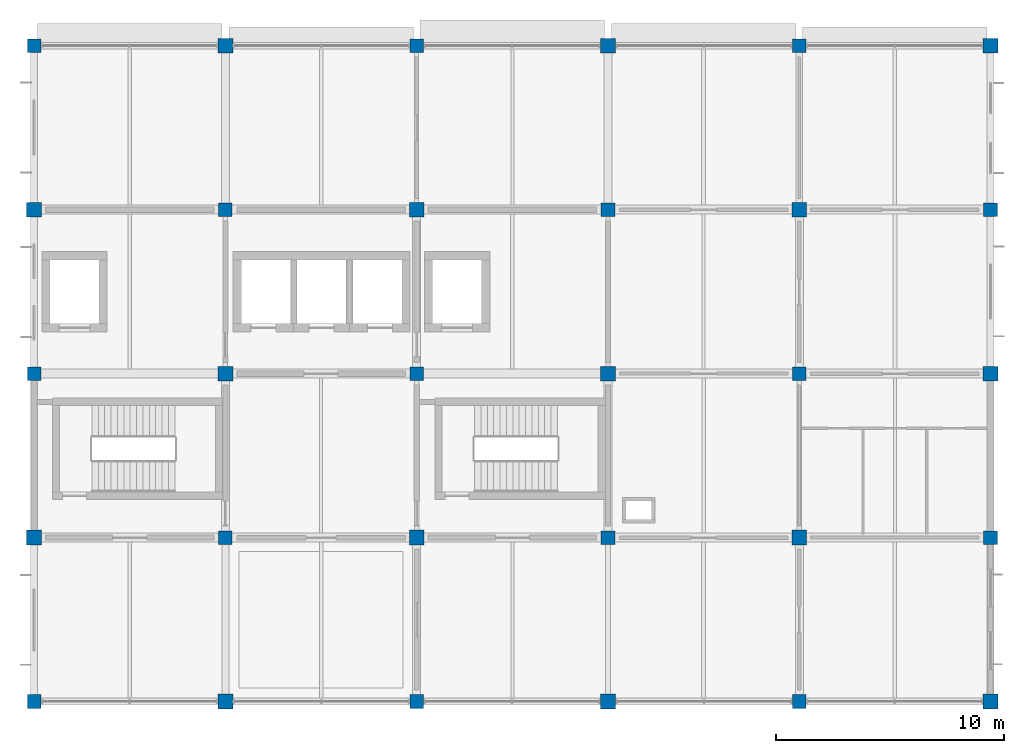
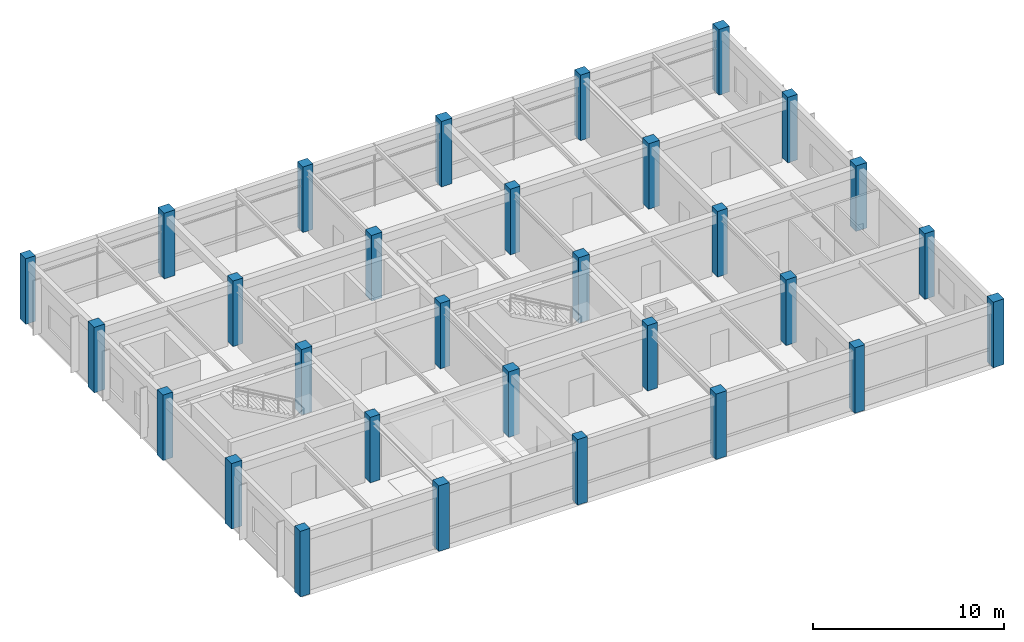
# One storey, part 1 of 11: 30 columns.
"""IFC4 building model written with IfcOpenShell, lengths in metres."""

from ifc_helpers import new_model, si_unit, derived_unit, direction, frame, origin, origin_2d, place, context, subcontext, project, spatial, rectangle, extrude, material, material_profile, profile_set, type_object, element, save


model = new_model("IFC4")

# Units and contexts
model_context = context("Model", 3, precision=1e-05, world=origin(), true_north=direction((0.0, 1.0)))
body_context = subcontext(model_context, "Body", "Model", "MODEL_VIEW")
ifc_project = project(units=[si_unit("LENGTHUNIT", "METRE"), si_unit("AREAUNIT", "SQUARE_METRE"), si_unit("VOLUMEUNIT", "CUBIC_METRE"), si_unit("PLANEANGLEUNIT", "RADIAN"), si_unit("MASSUNIT", "GRAM", prefix="KILO"), derived_unit("THERMALTRANSMITTANCEUNIT", [(si_unit("MASSUNIT", "GRAM", prefix="KILO"), 1), (si_unit("TIMEUNIT", "SECOND"), -3), (si_unit("THERMODYNAMICTEMPERATUREUNIT", "KELVIN"), -1)])], contexts=[model_context])

# Site, building, storey
site_placement = place(None, origin())
site = spatial("IfcSite", under=ifc_project, at=site_placement, CompositionType="ELEMENT")
building_placement = place(site_placement, origin())
building = spatial("IfcBuilding", under=site, at=building_placement, Name="Veldstrom Oceanarium and Marine Research Institute", CompositionType="ELEMENT")
storey_placement = place(building_placement, frame((0.0, 0.0, 48.0)))
storey = spatial("IfcBuildingStorey", under=building, at=storey_placement, Name="L10", CompositionType="ELEMENT", Elevation=48.0)

# Columns
ifc_material_1 = material(Name="Concrete C50/60", Category="concrete")
ifc_material_profile_1 = material_profile(ifc_material_1, rectangle(XDim=0.64990234375, YDim=0.64990234375, at=origin_2d()), Name="RC-COL-650x650")
ifc_profile_set_1 = profile_set([ifc_material_profile_1], Name="Concrete C50/60")
column_type_1 = type_object("IfcColumnType", Name="STR-COL-C07", PredefinedType="COLUMN", material=ifc_profile_set_1)
for number, where, z_axis, x_axis, name in (
    (1, (75.60009765625, 50.39990234375, 0.0), (0.0, 0.0, 1.0), (1.0, 0.0, 0.0), "Column C07 10/H L10"),
    (2, (75.60009765625, 64.800048828125, 0.0), (0.0, 0.0, 1.0), (1.0, 0.0, 0.0), "Column C07 10/K L10"),
    (3, (84.0, 43.199951171875, 0.0), (0.0, 0.0, 1.0), (1.0, 0.0, 0.0), "Column C07 11/G L10"),
    (4, (84.0, 57.60009765625, 0.0), (0.0, 0.0, 1.0), (1.0, 0.0, 0.0), "Column C07 11/J L10"),
    (5, (84.0, 72.0, 0.0), (0.0, 0.0, 1.0), (1.0, 0.0, 0.0), "Column C07 11/L L10"),
    (6, (92.39990234375, 50.39990234375, 0.0), (0.0, 0.0, 1.0), (1.0, 0.0, 0.0), "Column C07 12/H L10"),
    (7, (92.39990234375, 64.800048828125, 0.0), (0.0, 0.0, 1.0), (1.0, 0.0, 0.0), "Column C07 12/K L10"),
    (8, (100.800048828125, 43.199951171875, 0.0), (0.0, 0.0, 1.0), (1.0, 0.0, 0.0), "Column C07 13/G L10"),
    (9, (100.800048828125, 57.60009765625, 0.0), (0.0, 0.0, 1.0), (1.0, 0.0, 0.0), "Column C07 13/J L10"),
    (10, (100.800048828125, 72.0, 0.0), (0.0, 0.0, 1.0), (1.0, 0.0, 0.0), "Column C07 13/L L10"),
    (11, (109.199951171875, 50.39990234375, 0.0), (0.0, 0.0, 1.0), (1.0, 0.0, 0.0), "Column C07 14/H L10"),
    (12, (109.199951171875, 64.800048828125, 0.0), (0.0, 0.0, 1.0), (1.0, 0.0, 0.0), "Column C07 14/K L10"),
    (13, (117.60009765625, 43.199951171875, 0.0), (0.0, 0.0, 1.0), (1.0, 0.0, 0.0), "Column C07 15/G L10"),
    (14, (117.60009765625, 57.60009765625, 0.0), (0.0, 0.0, 1.0), (1.0, 0.0, 0.0), "Column C07 15/J L10"),
    (15, (117.60009765625, 72.0, 0.0), (0.0, 0.0, 1.0), (1.0, 0.0, 0.0), "Column C07 15/L L10"),
):
    element("IfcColumn", number, at=place(storey_placement, frame(where, z_axis=z_axis, x_axis=x_axis)), inside=storey, type_object=column_type_1, Name=name, PredefinedType="COLUMN", context=body_context, shape_type="SweptSolid", body=[
        extrude(rectangle(XDim=0.64990234375, YDim=0.64990234375, at=origin_2d()), origin(), (0.0, 0.0, 1.0), 4.199951171875),
    ])
ifc_material_2 = material(Name="Concrete C50/60", Category="concrete")
ifc_material_profile_2 = material_profile(ifc_material_2, rectangle(XDim=0.60009765625, YDim=0.60009765625, at=origin_2d()), Name="RC-COL-600x600")
ifc_profile_set_2 = profile_set([ifc_material_profile_2], Name="Concrete C50/60")
column_type_2 = type_object("IfcColumnType", Name="STR-COL-C08", PredefinedType="COLUMN", material=ifc_profile_set_2)
for number, where, z_axis, x_axis, name in (
    (16, (75.60009765625, 43.199951171875, 0.0), (0.0, 0.0, 1.0), (1.0, 0.0, 0.0), "Column C08 10/G L10"),
    (17, (75.60009765625, 57.60009765625, 0.0), (0.0, 0.0, 1.0), (1.0, 0.0, 0.0), "Column C08 10/J L10"),
    (18, (75.60009765625, 72.0, 0.0), (0.0, 0.0, 1.0), (1.0, 0.0, 0.0), "Column C08 10/L L10"),
    (19, (84.0, 50.39990234375, 0.0), (0.0, 0.0, 1.0), (1.0, 0.0, 0.0), "Column C08 11/H L10"),
    (20, (84.0, 64.800048828125, 0.0), (0.0, 0.0, 1.0), (1.0, 0.0, 0.0), "Column C08 11/K L10"),
    (21, (92.39990234375, 43.199951171875, 0.0), (0.0, 0.0, 1.0), (1.0, 0.0, 0.0), "Column C08 12/G L10"),
    (22, (92.39990234375, 57.60009765625, 0.0), (0.0, 0.0, 1.0), (1.0, 0.0, 0.0), "Column C08 12/J L10"),
    (23, (92.39990234375, 72.0, 0.0), (0.0, 0.0, 1.0), (1.0, 0.0, 0.0), "Column C08 12/L L10"),
    (24, (100.800048828125, 50.39990234375, 0.0), (0.0, 0.0, 1.0), (1.0, 0.0, 0.0), "Column C08 13/H L10"),
    (25, (100.800048828125, 64.800048828125, 0.0), (0.0, 0.0, 1.0), (1.0, 0.0, 0.0), "Column C08 13/K L10"),
    (26, (109.199951171875, 43.199951171875, 0.0), (0.0, 0.0, 1.0), (1.0, 0.0, 0.0), "Column C08 14/G L10"),
    (27, (109.199951171875, 57.60009765625, 0.0), (0.0, 0.0, 1.0), (1.0, 0.0, 0.0), "Column C08 14/J L10"),
    (28, (109.199951171875, 72.0, 0.0), (0.0, 0.0, 1.0), (1.0, 0.0, 0.0), "Column C08 14/L L10"),
    (29, (117.60009765625, 50.39990234375, 0.0), (0.0, 0.0, 1.0), (1.0, 0.0, 0.0), "Column C08 15/H L10"),
    (30, (117.60009765625, 64.800048828125, 0.0), (0.0, 0.0, 1.0), (1.0, 0.0, 0.0), "Column C08 15/K L10"),
):
    element("IfcColumn", number, at=place(storey_placement, frame(where, z_axis=z_axis, x_axis=x_axis)), inside=storey, type_object=column_type_2, Name=name, PredefinedType="COLUMN", context=body_context, shape_type="SweptSolid", body=[
        extrude(rectangle(XDim=0.60009765625, YDim=0.60009765625, at=origin_2d()), origin(), (0.0, 0.0, 1.0), 4.199951171875),
    ])

save(model, "model.ifc")
